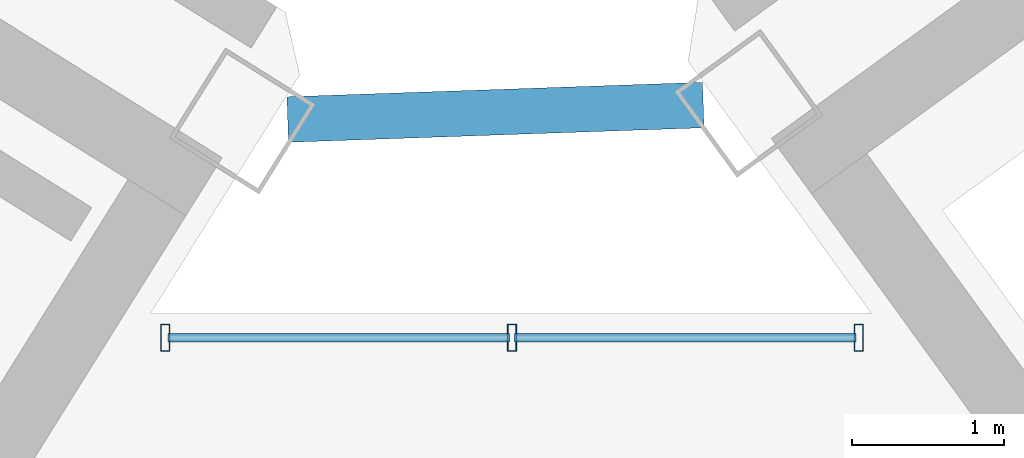
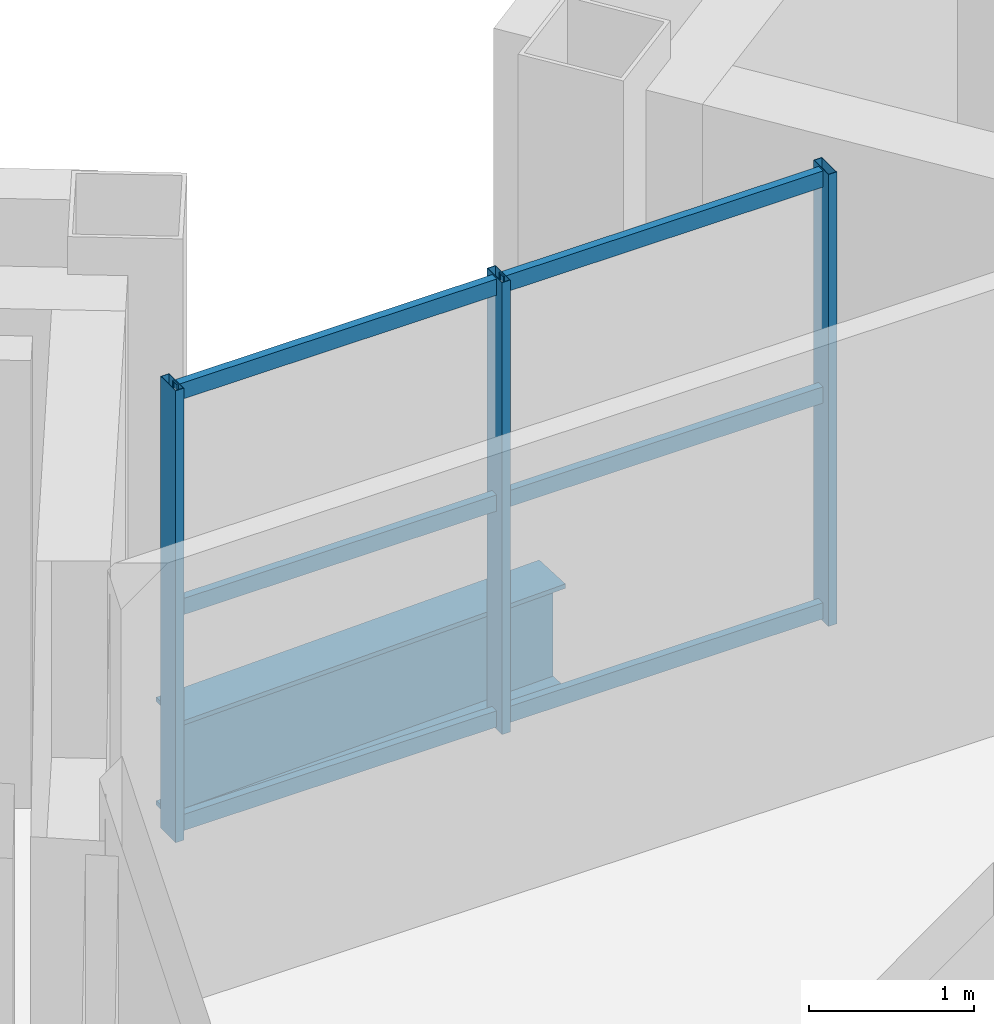
# One storey, part 12 of 25: 9 members, 1 beam, 1 element without a shape of its own.
"""IFC4 building model written with IfcOpenShell, lengths in metres."""

from ifc_helpers import new_model, si_unit, direction, frame, origin, origin_2d, place, context, subcontext, project, spatial, hollow_rectangle, i_section, extrude, source, transform, mapped, material, material_profile, profile_set, type_object, element, aggregate, save


model = new_model("IFC4")

# Units and contexts
model_context = context("Model", 3, precision=1e-05, world=origin(), true_north=direction((0.0, 1.0)))
body_context = subcontext(model_context, "Body", "Model", "MODEL_VIEW")
ifc_project = project(units=[si_unit("LENGTHUNIT", "METRE"), si_unit("AREAUNIT", "SQUARE_METRE"), si_unit("VOLUMEUNIT", "CUBIC_METRE"), si_unit("PLANEANGLEUNIT", "RADIAN"), si_unit("MASSUNIT", "GRAM", prefix="KILO")], contexts=[model_context])

# Site, building, storey
site_placement = place(None, origin())
site = spatial("IfcSite", under=ifc_project, at=site_placement, CompositionType="ELEMENT")
building_placement = place(site_placement, origin())
building = spatial("IfcBuilding", under=site, at=building_placement, Name="Tlacorven Tower", CompositionType="ELEMENT")
storey_placement = place(building_placement, frame((0.0, 0.0, 251.10009765625)))
storey = spatial("IfcBuildingStorey", under=building, at=storey_placement, Name="L63", CompositionType="ELEMENT", Elevation=251.10009765625)

# Beam
ifc_material_1 = material(Name="Steel S355J2", Category="steel")
ifc_material_profile_1 = material_profile(ifc_material_1, i_section(OverallWidth=0.300048828125, OverallDepth=0.800048828125, WebThickness=0.017578125, FlangeThickness=0.032958984375, at=origin_2d()), Name="HEB 800")
ifc_profile_set_1 = profile_set([ifc_material_profile_1], Name="Steel S355J2")
beam_type = type_object("IfcBeamType", Name="BM-POD-800", PredefinedType="BEAM", material=ifc_profile_set_1)
shared_shape_1 = source(origin(), body_context, "Body", "SweptSolid", [
    extrude(i_section(OverallWidth=0.300048828125, OverallDepth=0.800048828125, WebThickness=0.017578125, FlangeThickness=0.032958984375, at=origin_2d()), origin(), (0.0, 0.0, 1.0), 2.742919921875),
])
beam_placement = place(storey_placement, frame((41.082763671875, 24.478759765625, -0.650146484375), z_axis=(0.999391107631, 0.034891460117, 0.0), x_axis=(-0.034891460117, 0.999391107631, 0.0)))
element("IfcBeam", 1, at=beam_placement, inside=storey, type_object=beam_type, Name="L63 Knuckle Link Girder 1", PredefinedType="BEAM", context=body_context, shape_type="MappedRepresentation", body=[
    mapped(shared_shape_1, transform((0.0, 0.0, 0.0), scale=1.0)),
])

# Curtain wall, members
ifc_material_2 = material(Name="Dark solar low-E double glazing in aluminium frame", Category="aluminium")
curtain_wall_type = type_object("IfcCurtainWallType", Name="CW-TWR-HIGH", PredefinedType="USERDEFINED", material=ifc_material_2)
curtain_wall_placement = place(storey_placement, origin())
curtain_wall = element("IfcCurtainWall", 2, at=curtain_wall_placement, inside=storey, type_object=curtain_wall_type, Name="L63 CW-TWR-HIGH Curtain Wall 295", ObjectType="UNITISED CURTAIN WALL", PredefinedType="USERDEFINED")
ifc_material_3 = material(Name="Aluminium 6063-T6 anodised", Category="aluminium")
ifc_material_profile_2 = material_profile(ifc_material_3, hollow_rectangle(XDim=0.054931640625, YDim=0.1201171875, WallThickness=0.00341796875, at=origin_2d()), Name="ALU TRANSOM 55X120")
ifc_profile_set_2 = profile_set([ifc_material_profile_2], Name="Aluminium 6063-T6 anodised")
member_type_1 = type_object("IfcMemberType", Name="CWT-03", PredefinedType="USERDEFINED", material=ifc_profile_set_2)
shared_shape_2 = source(origin(), body_context, "Body", "SweptSolid", [
    extrude(hollow_rectangle(XDim=0.054931640625, YDim=0.1201171875, WallThickness=0.00341796875, at=origin_2d()), origin(), (0.0, 0.0, 1.0), 2.252197265625),
])
member_1_placement = place(storey_placement, frame((40.2919921875, 23.0400390625, 0.059814453125), z_axis=(1.0, 0.0, 0.0), x_axis=(0.0, 1.0, 0.0)))
member_1 = element("IfcMember", 3, at=member_1_placement, type_object=member_type_1, Name="CW-L63-295 Transom 1", ObjectType="TRANSOM", PredefinedType="USERDEFINED", context=body_context, shape_type="MappedRepresentation", body=[
    mapped(shared_shape_2, transform((0.0, 0.0, 0.0), scale=1.0)),
])
member_2_placement = place(storey_placement, frame((40.2919921875, 23.0400390625, 1.659912109375), z_axis=(1.0, 0.0, 0.0), x_axis=(0.0, 1.0, 0.0)))
member_2 = element("IfcMember", 4, at=member_2_placement, type_object=member_type_1, Name="CW-L63-295 Transom 2", ObjectType="TRANSOM", PredefinedType="USERDEFINED", context=body_context, shape_type="MappedRepresentation", body=[
    mapped(shared_shape_2, transform((0.0, 0.0, 0.0), scale=1.0)),
])
member_3_placement = place(storey_placement, frame((40.2919921875, 23.0400390625, 3.260009765625), z_axis=(1.0, 0.0, 0.0), x_axis=(0.0, 1.0, 0.0)))
member_3 = element("IfcMember", 5, at=member_3_placement, type_object=member_type_1, Name="CW-L63-295 Transom 3", ObjectType="TRANSOM", PredefinedType="USERDEFINED", context=body_context, shape_type="MappedRepresentation", body=[
    mapped(shared_shape_2, transform((0.0, 0.0, 0.0), scale=1.0)),
])
member_4_placement = place(storey_placement, frame((42.580322265625, 23.0400390625, 0.059814453125), z_axis=(1.0, 0.0, 0.0), x_axis=(0.0, 1.0, 0.0)))
member_4 = element("IfcMember", 6, at=member_4_placement, type_object=member_type_1, Name="CW-L63-295 Transom 4", ObjectType="TRANSOM", PredefinedType="USERDEFINED", context=body_context, shape_type="MappedRepresentation", body=[
    mapped(shared_shape_2, transform((0.0, 0.0, 0.0), scale=1.0)),
])
member_5_placement = place(storey_placement, frame((42.580322265625, 23.0400390625, 1.659912109375), z_axis=(1.0, 0.0, 0.0), x_axis=(0.0, 1.0, 0.0)))
member_5 = element("IfcMember", 7, at=member_5_placement, type_object=member_type_1, Name="CW-L63-295 Transom 5", ObjectType="TRANSOM", PredefinedType="USERDEFINED", context=body_context, shape_type="MappedRepresentation", body=[
    mapped(shared_shape_2, transform((0.0, 0.0, 0.0), scale=1.0)),
])
member_6_placement = place(storey_placement, frame((42.580322265625, 23.0400390625, 3.260009765625), z_axis=(1.0, 0.0, 0.0), x_axis=(0.0, 1.0, 0.0)))
member_6 = element("IfcMember", 8, at=member_6_placement, type_object=member_type_1, Name="CW-L63-295 Transom 6", ObjectType="TRANSOM", PredefinedType="USERDEFINED", context=body_context, shape_type="MappedRepresentation", body=[
    mapped(shared_shape_2, transform((0.0, 0.0, 0.0), scale=1.0)),
])
ifc_material_profile_3 = material_profile(ifc_material_3, hollow_rectangle(XDim=0.06005859375, YDim=0.179931640625, WallThickness=0.00390625, at=origin_2d()), Name="ALU MULLION 60X180")
ifc_profile_set_3 = profile_set([ifc_material_profile_3], Name="Aluminium 6063-T6 anodised")
member_type_2 = type_object("IfcMemberType", Name="CWM-03", PredefinedType="MULLION", material=ifc_profile_set_3)
shared_shape_3 = source(origin(), body_context, "Body", "SweptSolid", [
    extrude(hollow_rectangle(XDim=0.06005859375, YDim=0.179931640625, WallThickness=0.00390625, at=origin_2d()), origin(), (0.0, 0.0, 1.0), 3.349853515625),
])
member_7_placement = place(storey_placement, frame((40.27392578125, 23.0400390625, -0.02001953125), z_axis=(0.0, 0.0, 1.0), x_axis=(1.0, 0.0, 0.0)))
member_7 = element("IfcMember", 9, at=member_7_placement, type_object=member_type_2, Name="CW-L63-295 Mullion 1", PredefinedType="MULLION", context=body_context, shape_type="MappedRepresentation", body=[
    mapped(shared_shape_3, transform((0.0, 0.0, 0.0), scale=1.0)),
])
member_8_placement = place(storey_placement, frame((42.562255859375, 23.0400390625, -0.02001953125), z_axis=(0.0, 0.0, 1.0), x_axis=(1.0, 0.0, 0.0)))
member_8 = element("IfcMember", 10, at=member_8_placement, type_object=member_type_2, Name="CW-L63-295 Mullion 2", PredefinedType="MULLION", context=body_context, shape_type="MappedRepresentation", body=[
    mapped(shared_shape_3, transform((0.0, 0.0, 0.0), scale=1.0)),
])
member_9_placement = place(storey_placement, frame((44.8505859375, 23.0400390625, -0.02001953125), z_axis=(0.0, 0.0, 1.0), x_axis=(1.0, 0.0, 0.0)))
member_9 = element("IfcMember", 11, at=member_9_placement, type_object=member_type_2, Name="CW-L63-295 Mullion 3", PredefinedType="MULLION", context=body_context, shape_type="MappedRepresentation", body=[
    mapped(shared_shape_3, transform((0.0, 0.0, 0.0), scale=1.0)),
])
aggregate(curtain_wall, [member_7, member_8, member_9, member_1, member_2, member_3, member_4, member_5, member_6])

save(model, "model.ifc")
